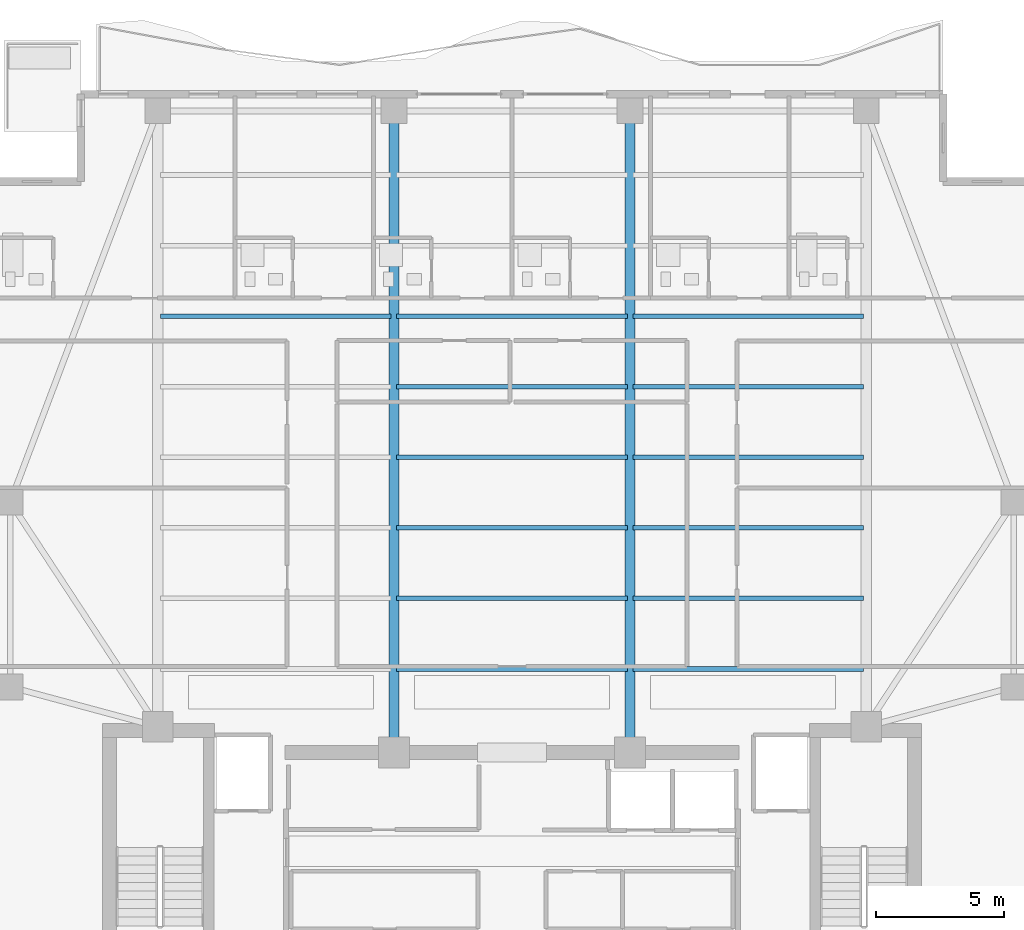
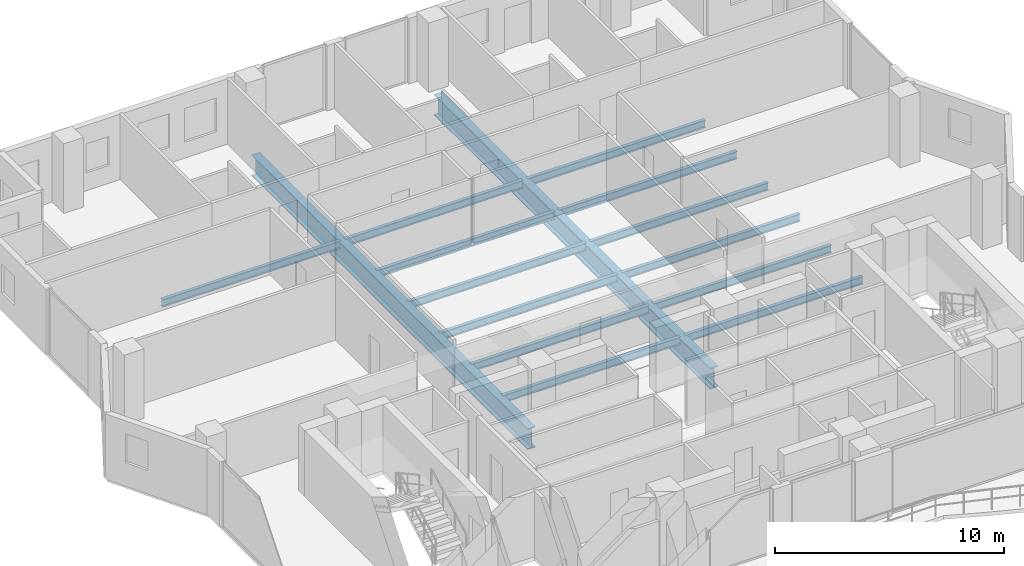
# One storey, part 9 of 24: 15 beams.
"""IFC4 building model written with IfcOpenShell, lengths in metres."""

import ifcopenshell
import ifcopenshell.guid

model = None  # the IFC model being written
_history = None  # IfcOwnerHistory: only IFC2X3 demands one
_inside = {}  # id of a spatial element -> (the spatial element, [elements in it])
_under = {}  # id of a project, library or spatial element -> (it, [spatial elements below it])
_declared = {}  # id of a project -> (the project, [libraries it declares])
_typed = {}  # id of a type object -> (the type object, [elements of that type])
_made_of = {}  # id of a material, layer set ... -> (it, [elements and type objects made of it])


def new_model(schema):
    """Start an empty IFC model of exactly this schema.

    Asked for "IFC4X3", IfcOpenShell would pick the latest addendum, in which some entities
    have other attributes; the version numbers below select the first issue.
    IFC2X3 requires an IfcOwnerHistory on every rooted entity: one is made here for all.
    """
    global model, _history
    if schema == "IFC4X3":
        model = ifcopenshell.file(schema_version=(4, 3, 0, 0))
    else:
        model = ifcopenshell.file(schema=schema)
    _inside.clear()
    _under.clear()
    _declared.clear()
    _typed.clear()
    _made_of.clear()
    _history = None
    if model.schema == "IFC2X3":
        org = make("IfcOrganization", Name="unknown")
        user = make(
            "IfcPersonAndOrganization",
            ThePerson=make("IfcPerson", FamilyName="unknown"),
            TheOrganization=org,
        )
        app = make(
            "IfcApplication",
            ApplicationDeveloper=org,
            Version="unknown",
            ApplicationFullName="unknown",
            ApplicationIdentifier="unknown",
        )
        _history = make(
            "IfcOwnerHistory",
            OwningUser=user,
            OwningApplication=app,
            ChangeAction="ADDED",
            CreationDate=0,
        )
    return model


def make(cls, **values):
    """One entity of the class cls with the attributes given. An attribute that is None is left unset."""
    return model.create_entity(
        cls, **{name: value for name, value in values.items() if value is not None}
    )


def rooted(cls, **values):
    """An entity with a GlobalId (a new one), such as an element, a storey or a relation."""
    return make(cls, GlobalId=ifcopenshell.guid.new(), OwnerHistory=_history, **values)


def si_unit(unit_type, name, prefix=None):
    """IfcSIUnit, for example si_unit("LENGTHUNIT", "METRE", prefix="MILLI")."""
    return make("IfcSIUnit", UnitType=unit_type, Prefix=prefix, Name=name)


def assignment(units):
    """IfcUnitAssignment: the units of a project."""
    return None if units is None else make("IfcUnitAssignment", Units=units)


def point(xyz):
    """IfcCartesianPoint."""
    return None if xyz is None else make("IfcCartesianPoint", Coordinates=xyz)


def direction(xyz):
    """IfcDirection."""
    return None if xyz is None else make("IfcDirection", DirectionRatios=xyz)


def frame(location, z_axis=None, x_axis=None):
    """IfcAxis2Placement3D, a coordinate frame: its origin and axes. An axis left out is left unset."""
    return make(
        "IfcAxis2Placement3D",
        Location=point(location),
        Axis=direction(z_axis),
        RefDirection=direction(x_axis),
    )


def frame_2d(location, x_axis=None):
    """IfcAxis2Placement2D, a coordinate frame in the plane: its origin and x axis."""
    return make(
        "IfcAxis2Placement2D", Location=point(location), RefDirection=direction(x_axis)
    )


def origin():
    """The frame at (0, 0, 0) with its axes left unset."""
    return frame((0.0, 0.0, 0.0))


def origin_2d():
    """The frame at (0, 0) in the plane with its x axis left unset."""
    return frame_2d((0.0, 0.0))


def place(relative_to, where):
    """IfcLocalPlacement: puts the frame where relative to a parent placement (None: the world)."""
    return make(
        "IfcLocalPlacement", PlacementRelTo=relative_to, RelativePlacement=where
    )


def context(
    kind, dimensions, precision=None, world=None, true_north=None, identifier=None
):
    """IfcGeometricRepresentationContext, for example the 3D "Model" context."""
    return make(
        "IfcGeometricRepresentationContext",
        ContextIdentifier=identifier,
        ContextType=kind,
        CoordinateSpaceDimension=dimensions,
        Precision=precision,
        WorldCoordinateSystem=world,
        TrueNorth=true_north,
    )


def subcontext(parent, identifier, kind, view, scale=None):
    """IfcGeometricRepresentationSubContext, for example "Body" below "Model"."""
    return make(
        "IfcGeometricRepresentationSubContext",
        ContextIdentifier=identifier,
        ContextType=kind,
        ParentContext=parent,
        TargetScale=scale,
        TargetView=view,
    )


def project(units=None, contexts=None):
    """IfcProject with its units and contexts."""
    return rooted(
        "IfcProject",
        Name="project",
        RepresentationContexts=contexts,
        UnitsInContext=assignment(units),
    )


def spatial(cls, under=None, at=None, **own):
    """A site, building, storey or space (cls), placed at a placement, below another one or the project."""
    s = rooted(cls, ObjectPlacement=at, **own)
    if under is not None:
        _under.setdefault(under.id(), (under, []))[1].append(s)
    return s


def profile(cls, at=None, kind="AREA", **sizes):
    """A parametric profile (cls). Its sizes go by their IFC names, for example OverallWidth=200.0."""
    return make(cls, ProfileType=kind, Position=at, **sizes)


def i_section(**sizes):
    """IfcIShapeProfileDef."""
    return profile("IfcIShapeProfileDef", **sizes)


def extrude(swept, where, along, depth):
    """IfcExtrudedAreaSolid: the profile swept, set in the frame where, extruded along a direction by depth."""
    return make(
        "IfcExtrudedAreaSolid",
        SweptArea=swept,
        Position=where,
        ExtrudedDirection=direction(along),
        Depth=depth,
    )


def shape(context_of_items, identifier, shape_type, items):
    """IfcShapeRepresentation: the items that make up one representation, for example the "Body"."""
    return make(
        "IfcShapeRepresentation",
        ContextOfItems=context_of_items,
        RepresentationIdentifier=identifier,
        RepresentationType=shape_type,
        Items=items,
    )


def material(Name=None, Category=None):
    """IfcMaterial."""
    return make("IfcMaterial", Name=Name, Category=Category)


def material_profile(
    of_material, cross_section, Name=None, Category=None, Priority=None
):
    """IfcMaterialProfile: a cross section and its material."""
    return make(
        "IfcMaterialProfile",
        Name=Name,
        Material=of_material,
        Profile=cross_section,
        Priority=Priority,
        Category=Category,
    )


def profile_set(profiles, Name=None, composite=None):
    """IfcMaterialProfileSet."""
    return make(
        "IfcMaterialProfileSet",
        Name=Name,
        MaterialProfiles=profiles,
        CompositeProfile=composite,
    )


def made_of(thing, what):
    """Note that an element or type object is made of a material, layer set ...; save() writes the relation."""
    if what is not None:
        _made_of.setdefault(what.id(), (what, []))[1].append(thing)
    return thing


def type_object(cls, material=None, **own):
    """A type object (cls), such as IfcWallType, which elements share."""
    return made_of(rooted(cls, **own), material)


def element(
    cls,
    number,
    at=None,
    inside=None,
    cuts=None,
    type_object=None,
    material=None,
    context=None,
    identifier="Body",
    shape_type=None,
    held_by="IfcProductDefinitionShape",
    body=None,
    shapes=None,
    **own,
):
    """One element of the class cls, such as IfcWall. Its Tag is "e" and its number.

    at: its placement. inside: the storey or other place that contains it. cuts: it is an
    opening in that element (IfcRelVoidsElement). A single representation is given by context,
    identifier, shape_type and body (its items); several are given by shapes. held_by: the class
    of the entity that holds the representations. save() writes the other relations.
    """
    e = rooted(cls, Tag="e%d" % number, ObjectPlacement=at, **own)
    if body is not None:
        shapes = [shape(context, identifier, shape_type, body)]
    if shapes is not None:
        e.Representation = make(held_by, Representations=shapes)
    if inside is not None:
        _inside.setdefault(inside.id(), (inside, []))[1].append(e)
    if cuts is not None:
        rooted(
            "IfcRelVoidsElement", RelatingBuildingElement=cuts, RelatedOpeningElement=e
        )
    if type_object is not None:
        _typed.setdefault(type_object.id(), (type_object, []))[1].append(e)
    return made_of(e, material)


def aggregate(whole, parts):
    """IfcRelAggregates: a whole, such as a stair, and the parts it consists of."""
    return rooted("IfcRelAggregates", RelatingObject=whole, RelatedObjects=parts)


def save(model, path):
    """Write the relations noted so far, then the file.

    IfcRelAggregates (storeys below a building ...), IfcRelContainedInSpatialStructure (elements
    in a storey), IfcRelDefinesByType, IfcRelAssociatesMaterial and IfcRelDeclares: one each for
    every whole, place, type object, material and project.
    """
    for whole, parts in _under.values():
        aggregate(whole, parts)
    for where, things in _inside.values():
        rooted(
            "IfcRelContainedInSpatialStructure",
            RelatedElements=things,
            RelatingStructure=where,
        )
    for kind, things in _typed.values():
        rooted("IfcRelDefinesByType", RelatedObjects=things, RelatingType=kind)
    for what, things in _made_of.values():
        rooted("IfcRelAssociatesMaterial", RelatedObjects=things, RelatingMaterial=what)
    for by, libraries in _declared.values():
        rooted("IfcRelDeclares", RelatingContext=by, RelatedDefinitions=libraries)
    model.write(path)


model = new_model("IFC4")

# Units and contexts
model_context = context("Model", 3, precision=1e-05, world=origin(), true_north=direction((0.0, 1.0)))
body_context = subcontext(model_context, "Body", "Model", "MODEL_VIEW")
ifc_project = project(units=[si_unit("LENGTHUNIT", "METRE"), si_unit("AREAUNIT", "SQUARE_METRE"), si_unit("VOLUMEUNIT", "CUBIC_METRE"), si_unit("PLANEANGLEUNIT", "RADIAN"), si_unit("MASSUNIT", "GRAM", prefix="KILO")], contexts=[model_context])

# Site, building, storey
site_placement = place(None, origin())
site = spatial("IfcSite", under=ifc_project, at=site_placement, CompositionType="ELEMENT")
building_placement = place(site_placement, origin())
building = spatial("IfcBuilding", under=site, at=building_placement, Name="Zuhayl Quay Hotel", CompositionType="ELEMENT")
storey_placement = place(building_placement, frame((0.0, 0.0, 276.64990234375)))
storey = spatial("IfcBuildingStorey", under=building, at=storey_placement, Name="L70", CompositionType="ELEMENT", Elevation=276.64990234375)

# Beams
ifc_material_1 = material(Name="Steel ASTM A992 Grade 50", Category="steel")
ifc_material_profile_1 = material_profile(ifc_material_1, i_section(OverallWidth=0.177978515625, OverallDepth=0.404052734375, WebThickness=0.007568359375, FlangeThickness=0.010986328125, at=origin_2d()), Name="W16X36")
ifc_profile_set_1 = profile_set([ifc_material_profile_1], Name="Steel ASTM A992 Grade 50")
beam_type_1 = type_object("IfcBeamType", Name="BM_J3_W16X36", PredefinedType="JOIST", material=ifc_profile_set_1)
beam_1_placement = place(storey_placement, frame((-4.493896484375, 16.60009765625, -0.421875), z_axis=(1.0, 0.0, 0.0), x_axis=(0.0, 1.0, 0.0)))
element("IfcBeam", 1, at=beam_1_placement, inside=storey, type_object=beam_type_1, Name="L70 Floor Beam FJ_L70_1_2", PredefinedType="JOIST", context=body_context, shape_type="SweptSolid", body=[
    extrude(i_section(OverallWidth=0.177978515625, OverallDepth=0.404052734375, WebThickness=0.007568359375, FlangeThickness=0.010986328125, at=origin_2d()), origin(), (0.0, 0.0, 1.0), 8.98779296875),
])
beam_2_placement = place(storey_placement, frame((4.7060546875, 16.60009765625, -0.421875), z_axis=(1.0, 0.0, 0.0), x_axis=(0.0, 1.0, 0.0)))
element("IfcBeam", 2, at=beam_2_placement, inside=storey, type_object=beam_type_1, Name="L70 Floor Beam FJ_L70_1_3", PredefinedType="JOIST", context=body_context, shape_type="SweptSolid", body=[
    extrude(i_section(OverallWidth=0.177978515625, OverallDepth=0.404052734375, WebThickness=0.007568359375, FlangeThickness=0.010986328125, at=origin_2d()), origin(), (0.0, 0.0, 1.0), 8.988037109375),
])
beam_3_placement = place(storey_placement, frame((-4.493896484375, 19.35009765625, -0.421875), z_axis=(1.0, 0.0, 0.0), x_axis=(0.0, 1.0, 0.0)))
element("IfcBeam", 3, at=beam_3_placement, inside=storey, type_object=beam_type_1, Name="L70 Floor Beam FJ_L70_2_2", PredefinedType="JOIST", context=body_context, shape_type="SweptSolid", body=[
    extrude(i_section(OverallWidth=0.177978515625, OverallDepth=0.404052734375, WebThickness=0.007568359375, FlangeThickness=0.010986328125, at=origin_2d()), origin(), (0.0, 0.0, 1.0), 8.98779296875),
])
beam_4_placement = place(storey_placement, frame((4.7060546875, 19.35009765625, -0.421875), z_axis=(1.0, 0.0, 0.0), x_axis=(0.0, 1.0, 0.0)))
element("IfcBeam", 4, at=beam_4_placement, inside=storey, type_object=beam_type_1, Name="L70 Floor Beam FJ_L70_2_3", PredefinedType="JOIST", context=body_context, shape_type="SweptSolid", body=[
    extrude(i_section(OverallWidth=0.177978515625, OverallDepth=0.404052734375, WebThickness=0.007568359375, FlangeThickness=0.010986328125, at=origin_2d()), origin(), (0.0, 0.0, 1.0), 8.988037109375),
])
beam_5_placement = place(storey_placement, frame((-4.493896484375, 22.10009765625, -0.421875), z_axis=(1.0, 0.0, 0.0), x_axis=(0.0, 1.0, 0.0)))
element("IfcBeam", 5, at=beam_5_placement, inside=storey, type_object=beam_type_1, Name="L70 Floor Beam FJ_L70_3_2", PredefinedType="JOIST", context=body_context, shape_type="SweptSolid", body=[
    extrude(i_section(OverallWidth=0.177978515625, OverallDepth=0.404052734375, WebThickness=0.007568359375, FlangeThickness=0.010986328125, at=origin_2d()), origin(), (0.0, 0.0, 1.0), 8.98779296875),
])
beam_6_placement = place(storey_placement, frame((4.7060546875, 22.10009765625, -0.421875), z_axis=(1.0, 0.0, 0.0), x_axis=(0.0, 1.0, 0.0)))
element("IfcBeam", 6, at=beam_6_placement, inside=storey, type_object=beam_type_1, Name="L70 Floor Beam FJ_L70_3_3", PredefinedType="JOIST", context=body_context, shape_type="SweptSolid", body=[
    extrude(i_section(OverallWidth=0.177978515625, OverallDepth=0.404052734375, WebThickness=0.007568359375, FlangeThickness=0.010986328125, at=origin_2d()), origin(), (0.0, 0.0, 1.0), 8.988037109375),
])
beam_7_placement = place(storey_placement, frame((-4.493896484375, 24.85009765625, -0.421875), z_axis=(1.0, 0.0, 0.0), x_axis=(0.0, 1.0, 0.0)))
element("IfcBeam", 7, at=beam_7_placement, inside=storey, type_object=beam_type_1, Name="L70 Floor Beam FJ_L70_4_2", PredefinedType="JOIST", context=body_context, shape_type="SweptSolid", body=[
    extrude(i_section(OverallWidth=0.177978515625, OverallDepth=0.404052734375, WebThickness=0.007568359375, FlangeThickness=0.010986328125, at=origin_2d()), origin(), (0.0, 0.0, 1.0), 8.98779296875),
])
beam_8_placement = place(storey_placement, frame((4.7060546875, 24.85009765625, -0.421875), z_axis=(1.0, 0.0, 0.0), x_axis=(0.0, 1.0, 0.0)))
element("IfcBeam", 8, at=beam_8_placement, inside=storey, type_object=beam_type_1, Name="L70 Floor Beam FJ_L70_4_3", PredefinedType="JOIST", context=body_context, shape_type="SweptSolid", body=[
    extrude(i_section(OverallWidth=0.177978515625, OverallDepth=0.404052734375, WebThickness=0.007568359375, FlangeThickness=0.010986328125, at=origin_2d()), origin(), (0.0, 0.0, 1.0), 8.988037109375),
])
beam_9_placement = place(storey_placement, frame((-4.493896484375, 27.60009765625, -0.421875), z_axis=(1.0, 0.0, 0.0), x_axis=(0.0, 1.0, 0.0)))
element("IfcBeam", 9, at=beam_9_placement, inside=storey, type_object=beam_type_1, Name="L70 Floor Beam FJ_L70_5_2", PredefinedType="JOIST", context=body_context, shape_type="SweptSolid", body=[
    extrude(i_section(OverallWidth=0.177978515625, OverallDepth=0.404052734375, WebThickness=0.007568359375, FlangeThickness=0.010986328125, at=origin_2d()), origin(), (0.0, 0.0, 1.0), 8.98779296875),
])
for number, where, z_axis, x_axis, name in (
    (10, (4.7060546875, 27.60009765625, -0.421875), (1.0, 0.0, 0.0), (0.0, 1.0, 0.0), "L70 Floor Beam FJ_L70_5_3"),
    (11, (-13.694091796875, 30.35009765625, -0.421875), (1.0, 0.0, 0.0), (0.0, 1.0, 0.0), "L70 Floor Beam FJ_L70_6_1"),
):
    element("IfcBeam", number, at=place(storey_placement, frame(where, z_axis=z_axis, x_axis=x_axis)), inside=storey, type_object=beam_type_1, Name=name, PredefinedType="JOIST", context=body_context, shape_type="SweptSolid", body=[
        extrude(i_section(OverallWidth=0.177978515625, OverallDepth=0.404052734375, WebThickness=0.007568359375, FlangeThickness=0.010986328125, at=origin_2d()), origin(), (0.0, 0.0, 1.0), 8.988037109375),
    ])
beam_10_placement = place(storey_placement, frame((-4.493896484375, 30.35009765625, -0.421875), z_axis=(1.0, 0.0, 0.0), x_axis=(0.0, 1.0, 0.0)))
element("IfcBeam", 12, at=beam_10_placement, inside=storey, type_object=beam_type_1, Name="L70 Floor Beam FJ_L70_6_2", PredefinedType="JOIST", context=body_context, shape_type="SweptSolid", body=[
    extrude(i_section(OverallWidth=0.177978515625, OverallDepth=0.404052734375, WebThickness=0.007568359375, FlangeThickness=0.010986328125, at=origin_2d()), origin(), (0.0, 0.0, 1.0), 8.98779296875),
])
beam_11_placement = place(storey_placement, frame((4.7060546875, 30.35009765625, -0.421875), z_axis=(1.0, 0.0, 0.0), x_axis=(0.0, 1.0, 0.0)))
element("IfcBeam", 13, at=beam_11_placement, inside=storey, type_object=beam_type_1, Name="L70 Floor Beam FJ_L70_6_3", PredefinedType="JOIST", context=body_context, shape_type="SweptSolid", body=[
    extrude(i_section(OverallWidth=0.177978515625, OverallDepth=0.404052734375, WebThickness=0.007568359375, FlangeThickness=0.010986328125, at=origin_2d()), origin(), (0.0, 0.0, 1.0), 8.988037109375),
])
ifc_material_2 = material(Name="Steel ASTM A913 Grade 65", Category="steel")
ifc_material_profile_2 = material_profile(ifc_material_2, i_section(OverallWidth=0.404052734375, OverallDepth=1.117919921875, WebThickness=0.026123046875, FlangeThickness=0.044921875, at=origin_2d()), Name="W44X335")
ifc_profile_set_2 = profile_set([ifc_material_profile_2], Name="Steel ASTM A913 Grade 65")
beam_type_2 = type_object("IfcBeamType", Name="BM_TG1_W44X335", PredefinedType="BEAM", material=ifc_profile_set_2)
for number, where, z_axis, x_axis, name in (
    (14, (-4.60009765625, 13.800048828125, -0.77880859375), (0.0, 1.0, 0.0), (-1.0, 0.0, 0.0), "L70 Floor Beam FG_N_L70_2"),
    (15, (4.60009765625, 13.800048828125, -0.77880859375), (0.0, 1.0, 0.0), (-1.0, 0.0, 0.0), "L70 Floor Beam FG_N_L70_3"),
):
    element("IfcBeam", number, at=place(storey_placement, frame(where, z_axis=z_axis, x_axis=x_axis)), inside=storey, type_object=beam_type_2, Name=name, PredefinedType="BEAM", context=body_context, shape_type="SweptSolid", body=[
        extrude(i_section(OverallWidth=0.404052734375, OverallDepth=1.117919921875, WebThickness=0.026123046875, FlangeThickness=0.044921875, at=origin_2d()), origin(), (0.0, 0.0, 1.0), 24.08984375),
    ])

save(model, "model.ifc")
